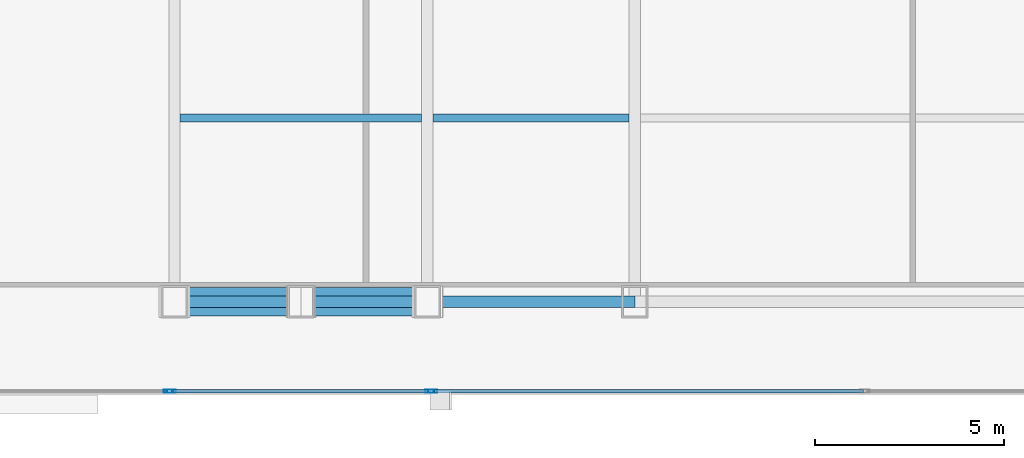
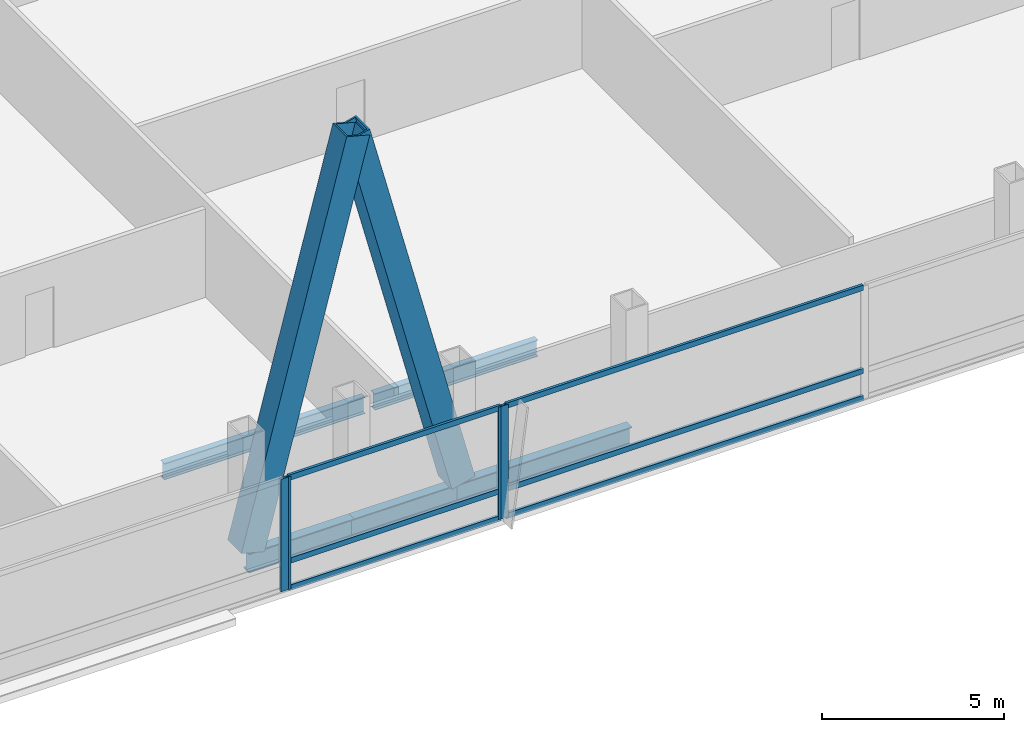
# One storey, part 7 of 32: 12 members, 5 beams, 3 elements without a shape of their own.
"""IFC4 building model written with IfcOpenShell, lengths in metres."""

from ifc_helpers import new_model, si_unit, direction, frame, origin, origin_2d, place, context, subcontext, project, spatial, hollow_rectangle, i_section, extrude, material, material_profile, profile_set, type_object, element, aggregate, save


model = new_model("IFC4")

# Units and contexts
model_context = context("Model", 3, precision=1e-05, world=origin(), true_north=direction((0.0, 1.0)))
body_context = subcontext(model_context, "Body", "Model", "MODEL_VIEW")
ifc_project = project(units=[si_unit("LENGTHUNIT", "METRE"), si_unit("AREAUNIT", "SQUARE_METRE"), si_unit("VOLUMEUNIT", "CUBIC_METRE"), si_unit("PLANEANGLEUNIT", "RADIAN"), si_unit("MASSUNIT", "GRAM", prefix="KILO")], contexts=[model_context])

# Site, building, storey
site_placement = place(None, origin())
site = spatial("IfcSite", under=ifc_project, at=site_placement, CompositionType="ELEMENT")
building_placement = place(site_placement, origin())
building = spatial("IfcBuilding", under=site, at=building_placement, Name="Khoronbel Lancet Exchange", CompositionType="ELEMENT")
storey_placement = place(building_placement, frame((0.0, 0.0, 81.800048828125)))
storey = spatial("IfcBuildingStorey", under=building, at=storey_placement, Name="L19", CompositionType="ELEMENT", Elevation=81.800048828125)

# Beams
ifc_material_1 = material(Name="Steel S355", Category="steel")
ifc_material_profile_1 = material_profile(ifc_material_1, i_section(OverallWidth=0.2099609375, OverallDepth=0.550048828125, WebThickness=0.010986328125, FlangeThickness=0.01708984375, at=origin_2d()), Name="IPE 550")
ifc_profile_set_1 = profile_set([ifc_material_profile_1], Name="Steel S355")
beam_type_1 = type_object("IfcBeamType", Name="BM-BJ2", PredefinedType="JOIST", material=ifc_profile_set_1)
beam_1_placement = place(storey_placement, frame((18.375, 15.0, -0.455078125), z_axis=(1.0, 0.0, 0.0), x_axis=(0.0, 1.0, 0.0)))
element("IfcBeam", 1, at=beam_1_placement, inside=storey, type_object=beam_type_1, Name="Level L19 secondary composite joist J01", PredefinedType="JOIST", context=body_context, shape_type="SweptSolid", body=[
    extrude(i_section(OverallWidth=0.2099609375, OverallDepth=0.550048828125, WebThickness=0.010986328125, FlangeThickness=0.01708984375, at=origin_2d()), origin(), (0.0, 0.0, 1.0), 6.375),
])
beam_2_placement = place(storey_placement, frame((25.050048828125, 15.0, -0.455078125), z_axis=(1.0, 0.0, 0.0), x_axis=(0.0, 1.0, 0.0)))
element("IfcBeam", 2, at=beam_2_placement, inside=storey, type_object=beam_type_1, Name="Level L19 secondary composite joist J02", PredefinedType="JOIST", context=body_context, shape_type="SweptSolid", body=[
    extrude(i_section(OverallWidth=0.2099609375, OverallDepth=0.550048828125, WebThickness=0.010986328125, FlangeThickness=0.01708984375, at=origin_2d()), origin(), (0.0, 0.0, 1.0), 5.175048828125),
])
ifc_material_profile_2 = material_profile(ifc_material_1, i_section(OverallWidth=0.300048828125, OverallDepth=0.64990234375, WebThickness=0.01611328125, FlangeThickness=0.031005859375, at=origin_2d()), Name="HEB 650")
ifc_profile_set_2 = profile_set([ifc_material_profile_2], Name="Steel S355")
beam_type_2 = type_object("IfcBeamType", Name="BM-BSP1", PredefinedType="SPANDREL", material=ifc_profile_set_2)
for number, where, z_axis, x_axis, name in (
    (3, (18.22509765625, 10.14990234375, -0.505126953125), (1.0, 0.0, 0.0), (0.0, 1.0, 0.0), "Level L19 perimeter spandrel beam SP01"),
    (4, (21.5625, 10.14990234375, -0.505126953125), (1.0, 0.0, 0.0), (0.0, 1.0, 0.0), "Level L19 perimeter spandrel beam SP02"),
):
    element("IfcBeam", number, at=place(storey_placement, frame(where, z_axis=z_axis, x_axis=x_axis)), inside=storey, type_object=beam_type_2, Name=name, PredefinedType="SPANDREL", context=body_context, shape_type="SweptSolid", body=[
        extrude(i_section(OverallWidth=0.300048828125, OverallDepth=0.64990234375, WebThickness=0.01611328125, FlangeThickness=0.031005859375, at=origin_2d()), origin(), (0.0, 0.0, 1.0), 3.33740234375),
    ])
beam_3_placement = place(storey_placement, frame((24.89990234375, 10.14990234375, -0.505126953125), z_axis=(1.0, 0.0, 0.0), x_axis=(0.0, 1.0, 0.0)))
element("IfcBeam", 5, at=beam_3_placement, inside=storey, type_object=beam_type_2, Name="Level L19 perimeter spandrel beam SP03", PredefinedType="SPANDREL", context=body_context, shape_type="SweptSolid", body=[
    extrude(i_section(OverallWidth=0.300048828125, OverallDepth=0.64990234375, WebThickness=0.01611328125, FlangeThickness=0.031005859375, at=origin_2d()), origin(), (0.0, 0.0, 1.0), 5.47509765625),
])

# Curtain wall, member
ifc_material_2 = material(Name="Low-E Solar Control Insulating Glass", Category="glass")
curtain_wall_type = type_object("IfcCurtainWallType", Name="CW-2", PredefinedType="NOTDEFINED", material=ifc_material_2)
curtain_wall_1_placement = place(storey_placement, origin())
curtain_wall_1 = element("IfcCurtainWall", 6, at=curtain_wall_1_placement, inside=storey, type_object=curtain_wall_type, Name="Unitised curtain wall CW-L19-SWV", PredefinedType="NOTDEFINED")
ifc_material_3 = material(Name="Bronze-Anodised Aluminium 6063-T6", Category="aluminium")
ifc_material_profile_3 = material_profile(ifc_material_3, hollow_rectangle(XDim=0.0849609375, YDim=0.239990234375, WallThickness=0.006103515625, at=origin_2d()), Name="ALU MULLION 85x240")
ifc_profile_set_3 = profile_set([ifc_material_profile_3], Name="Bronze-Anodised Aluminium 6063-T6")
member_type_1 = type_object("IfcMemberType", Name="MEM-CWM1", PredefinedType="MULLION", material=ifc_profile_set_3)
member_1_placement = place(storey_placement, frame((18.0576171875, 7.7900390625, 0.0), z_axis=(0.0, 0.0, 1.0), x_axis=(0.0, 1.0, 0.0)))
member_1 = element("IfcMember", 7, at=member_1_placement, type_object=member_type_1, Name="CW2 mullion 2", PredefinedType="MULLION", context=body_context, shape_type="SweptSolid", body=[
    extrude(hollow_rectangle(XDim=0.0849609375, YDim=0.239990234375, WallThickness=0.006103515625, at=origin_2d()), origin(), (0.0, 0.0, 1.0), 3.780029296875),
])
aggregate(curtain_wall_1, [member_1])

# Curtain wall, members
curtain_wall_2_placement = place(storey_placement, origin())
curtain_wall_2 = element("IfcCurtainWall", 8, at=curtain_wall_2_placement, inside=storey, type_object=curtain_wall_type, Name="Unitised curtain wall CW-L19-SWB", PredefinedType="NOTDEFINED")
member_2_placement = place(storey_placement, frame((18.142578125, 7.7900390625, 0.0), z_axis=(0.0, 0.0, 1.0), x_axis=(0.0, 1.0, 0.0)))
member_2 = element("IfcMember", 9, at=member_2_placement, type_object=member_type_1, Name="CW2 mullion 1", PredefinedType="MULLION", context=body_context, shape_type="SweptSolid", body=[
    extrude(hollow_rectangle(XDim=0.0849609375, YDim=0.239990234375, WallThickness=0.006103515625, at=origin_2d()), origin(), (0.0, 0.0, 1.0), 3.780029296875),
])
member_3_placement = place(storey_placement, frame((24.95751953125, 7.7900390625, 0.0), z_axis=(0.0, 0.0, 1.0), x_axis=(0.0, 1.0, 0.0)))
member_3 = element("IfcMember", 10, at=member_3_placement, type_object=member_type_1, Name="CW2 mullion 2", PredefinedType="MULLION", context=body_context, shape_type="SweptSolid", body=[
    extrude(hollow_rectangle(XDim=0.0849609375, YDim=0.239990234375, WallThickness=0.006103515625, at=origin_2d()), origin(), (0.0, 0.0, 1.0), 3.780029296875),
])

# Curtain wall, member
curtain_wall_3_placement = place(storey_placement, origin())
curtain_wall_3 = element("IfcCurtainWall", 11, at=curtain_wall_3_placement, inside=storey, type_object=curtain_wall_type, Name="Unitised curtain wall CW-L19-SCV", PredefinedType="NOTDEFINED")
member_4_placement = place(storey_placement, frame((25.04248046875, 7.7900390625, 0.0), z_axis=(0.0, 0.0, 1.0), x_axis=(0.0, 1.0, 0.0)))
member_4 = element("IfcMember", 12, at=member_4_placement, type_object=member_type_1, Name="CW2 mullion 1", PredefinedType="MULLION", context=body_context, shape_type="SweptSolid", body=[
    extrude(hollow_rectangle(XDim=0.0849609375, YDim=0.239990234375, WallThickness=0.006103515625, at=origin_2d()), origin(), (0.0, 0.0, 1.0), 3.780029296875),
])

# Member
ifc_material_profile_4 = material_profile(ifc_material_3, hollow_rectangle(XDim=0.0849609375, YDim=0.179931640625, WallThickness=0.0048828125, at=origin_2d()), Name="ALU TRANSOM 85x180")
ifc_profile_set_4 = profile_set([ifc_material_profile_4], Name="Bronze-Anodised Aluminium 6063-T6")
member_type_2 = type_object("IfcMemberType", Name="MEM-CWT1", PredefinedType="USERDEFINED", material=ifc_profile_set_4)
member_5_placement = place(storey_placement, frame((18.18505859375, 7.7900390625, 0.04248046875), z_axis=(1.0, 0.0, 0.0), x_axis=(0.0, 1.0, 0.0)))
member_5 = element("IfcMember", 13, at=member_5_placement, type_object=member_type_2, Name="CW2 transom 1.1", ObjectType="TRANSOM", PredefinedType="USERDEFINED", context=body_context, shape_type="SweptSolid", body=[
    extrude(hollow_rectangle(XDim=0.0849609375, YDim=0.179931640625, WallThickness=0.0048828125, at=origin_2d()), origin(), (0.0, 0.0, 1.0), 6.72998046875),
])

member_6_placement = place(storey_placement, frame((18.18505859375, 7.7900390625, 0.949951171875), z_axis=(1.0, 0.0, 0.0), x_axis=(0.0, 1.0, 0.0)))
member_6 = element("IfcMember", 14, at=member_6_placement, type_object=member_type_2, Name="CW2 transom 1.2", ObjectType="TRANSOM", PredefinedType="USERDEFINED", context=body_context, shape_type="SweptSolid", body=[
    extrude(hollow_rectangle(XDim=0.0849609375, YDim=0.179931640625, WallThickness=0.0048828125, at=origin_2d()), origin(), (0.0, 0.0, 1.0), 6.72998046875),
])

member_7_placement = place(storey_placement, frame((18.18505859375, 7.7900390625, 3.737548828125), z_axis=(1.0, 0.0, 0.0), x_axis=(0.0, 1.0, 0.0)))
member_7 = element("IfcMember", 15, at=member_7_placement, type_object=member_type_2, Name="CW2 transom 1.3", ObjectType="TRANSOM", PredefinedType="USERDEFINED", context=body_context, shape_type="SweptSolid", body=[
    extrude(hollow_rectangle(XDim=0.0849609375, YDim=0.179931640625, WallThickness=0.0048828125, at=origin_2d()), origin(), (0.0, 0.0, 1.0), 6.72998046875),
])

aggregate(curtain_wall_2, [member_2, member_3, member_5, member_6, member_7])

member_8_placement = place(storey_placement, frame((25.0849609375, 7.7900390625, 0.04248046875), z_axis=(1.0, 0.0, 0.0), x_axis=(0.0, 1.0, 0.0)))
member_8 = element("IfcMember", 16, at=member_8_placement, type_object=member_type_2, Name="CW2 transom 1.1", ObjectType="TRANSOM", PredefinedType="USERDEFINED", context=body_context, shape_type="SweptSolid", body=[
    extrude(hollow_rectangle(XDim=0.0849609375, YDim=0.179931640625, WallThickness=0.0048828125, at=origin_2d()), origin(), (0.0, 0.0, 1.0), 11.322509765625),
])

member_9_placement = place(storey_placement, frame((25.0849609375, 7.7900390625, 0.949951171875), z_axis=(1.0, 0.0, 0.0), x_axis=(0.0, 1.0, 0.0)))
member_9 = element("IfcMember", 17, at=member_9_placement, type_object=member_type_2, Name="CW2 transom 1.2", ObjectType="TRANSOM", PredefinedType="USERDEFINED", context=body_context, shape_type="SweptSolid", body=[
    extrude(hollow_rectangle(XDim=0.0849609375, YDim=0.179931640625, WallThickness=0.0048828125, at=origin_2d()), origin(), (0.0, 0.0, 1.0), 11.322509765625),
])

member_10_placement = place(storey_placement, frame((25.0849609375, 7.7900390625, 3.737548828125), z_axis=(1.0, 0.0, 0.0), x_axis=(0.0, 1.0, 0.0)))
member_10 = element("IfcMember", 18, at=member_10_placement, type_object=member_type_2, Name="CW2 transom 1.3", ObjectType="TRANSOM", PredefinedType="USERDEFINED", context=body_context, shape_type="SweptSolid", body=[
    extrude(hollow_rectangle(XDim=0.0849609375, YDim=0.179931640625, WallThickness=0.0048828125, at=origin_2d()), origin(), (0.0, 0.0, 1.0), 11.322509765625),
])

aggregate(curtain_wall_3, [member_4, member_8, member_9, member_10])

# Members
ifc_material_4 = material(Name="Steel S460", Category="steel")
ifc_material_profile_5 = material_profile(ifc_material_4, hollow_rectangle(XDim=0.760009765625, YDim=0.760009765625, WallThickness=0.054931640625, at=origin_2d()), Name="BOX 760x760x55")
ifc_profile_set_5 = profile_set([ifc_material_profile_5], Name="Steel S460")
member_type_3 = type_object("IfcMemberType", Name="MEM-MB1", PredefinedType="BRACE", material=ifc_profile_set_5)
for number, where, z_axis, x_axis, name in (
    (19, (18.22509765625, 10.14990234375, 0.0), (0.252298678365, 0.0, 0.967649408048), (0.0, 1.0, 0.0), "Perimeter lancet brace tier 6 S-W-L"),
    (20, (24.89990234375, 10.14990234375, 0.0), (-0.252298678365, 0.0, 0.967649408048), (0.0, -1.0, 0.0), "Perimeter lancet brace tier 6 S-W-R"),
):
    element("IfcMember", number, at=place(storey_placement, frame(where, z_axis=z_axis, x_axis=x_axis)), inside=storey, type_object=member_type_3, Name=name, PredefinedType="BRACE", context=body_context, shape_type="SweptSolid", body=[
        extrude(hollow_rectangle(XDim=0.760009765625, YDim=0.760009765625, WallThickness=0.054931640625, at=origin_2d()), origin(), (0.0, 0.0, 1.0), 13.22802734375),
    ])

save(model, "model.ifc")
